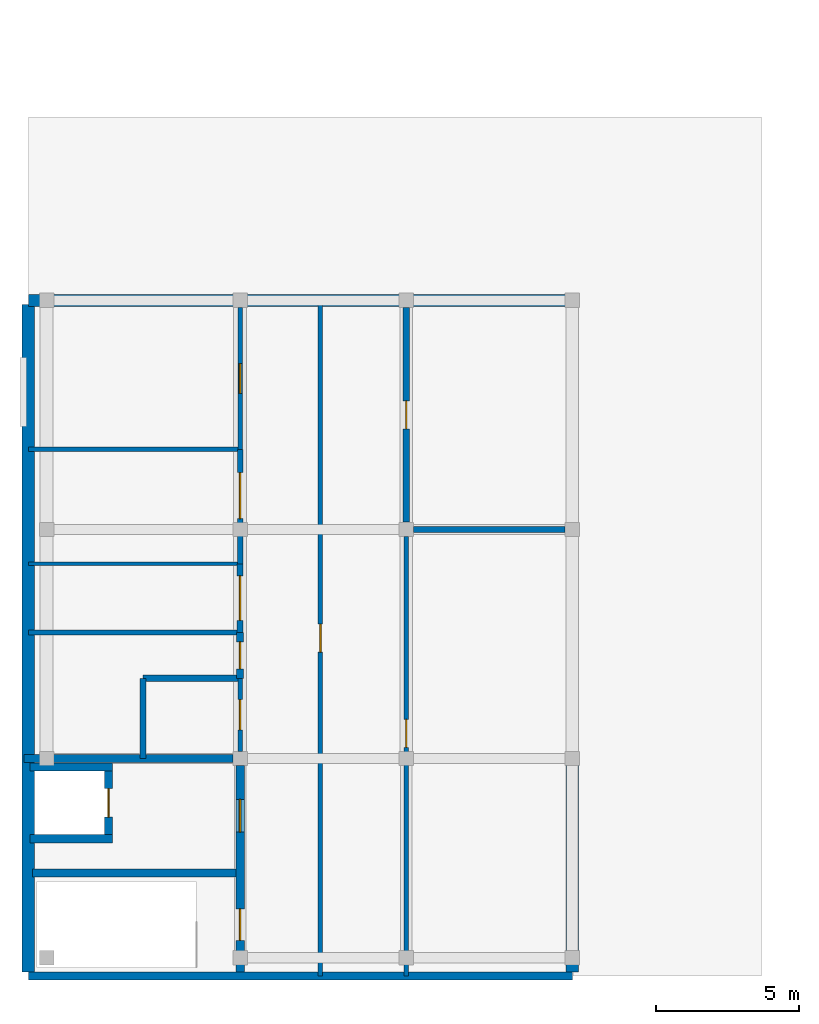
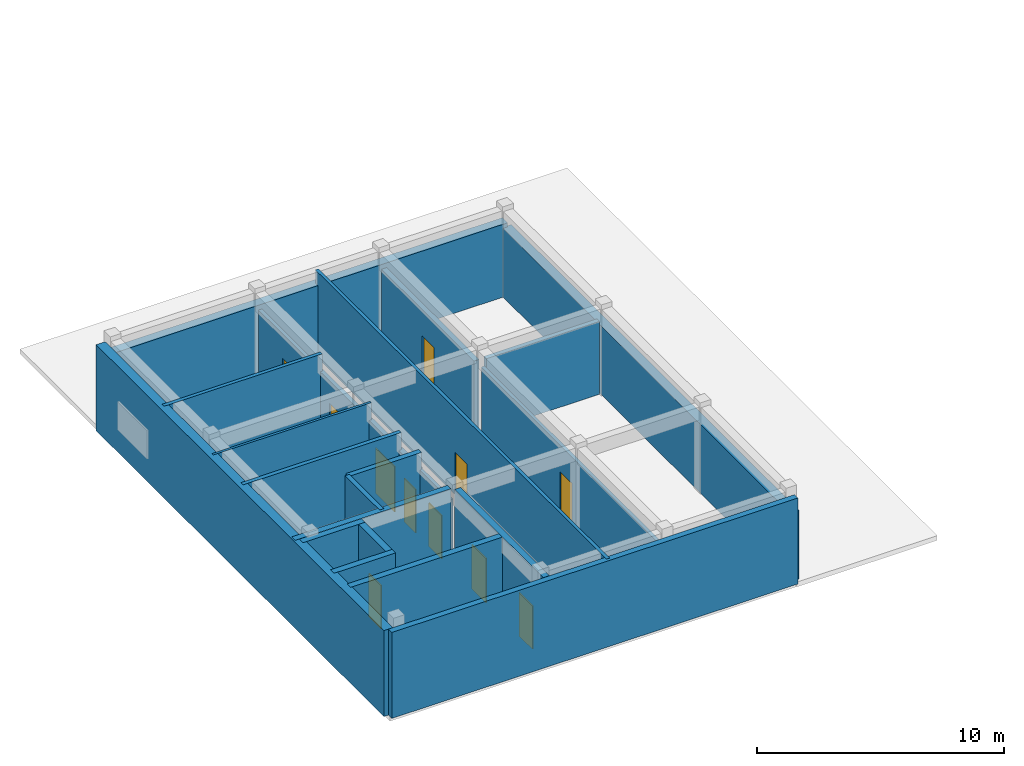
# One storey, part 5 of 11: 24 walls, 11 doors, 11 openings.
"""IFC4 building model written with IfcOpenShell, lengths in metres."""

from ifc_helpers import new_model, si_unit, direction, frame, frame_2d, origin, place, context, subcontext, project, spatial, rectangle, extrude, material, layer, layer_set, type_object, element, fill, save


model = new_model("IFC4")

# Units and contexts
model_context = context("Model", 3, precision=1e-05, world=origin(), true_north=direction((0.0, 1.0)))
body_context = subcontext(model_context, "Body", "Model", "MODEL_VIEW")
ifc_project = project(units=[si_unit("LENGTHUNIT", "METRE"), si_unit("AREAUNIT", "SQUARE_METRE"), si_unit("VOLUMEUNIT", "CUBIC_METRE"), si_unit("PLANEANGLEUNIT", "RADIAN"), si_unit("MASSUNIT", "GRAM", prefix="KILO")], contexts=[model_context])

# Site, building, storey
site_placement = place(None, origin())
site = spatial("IfcSite", under=ifc_project, at=site_placement, CompositionType="ELEMENT")
building_placement = place(site_placement, origin())
building = spatial("IfcBuilding", under=site, at=building_placement, Name="Cinchona Park Media Centre", CompositionType="ELEMENT")
storey_placement = place(building_placement, frame((0.0, 0.0, 24.89990234375)))
storey = spatial("IfcBuildingStorey", under=building, at=storey_placement, Name="L05", CompositionType="ELEMENT", Elevation=24.89990234375)

# Walls
ifc_material_1 = material(Name="Precast concrete C40/50", Category="concrete")
ifc_layer_1 = layer(ifc_material_1, 0.425048828125)
ifc_layer_set_1 = layer_set([ifc_layer_1], Name="Precast concrete C40/50")
wall_type_1 = type_object("IfcWallType", Name="WALL-W-AC01", PredefinedType="SOLIDWALL", material=ifc_layer_set_1)
wall_1_placement = place(storey_placement, frame((8.0, 87.60009765625, 0.0), z_axis=(0.0, 0.0, 1.0), x_axis=(1.0, 0.0, 0.0)))
element("IfcWall", 1, at=wall_1_placement, inside=storey, type_object=wall_type_1, Name="Exterior Wall W-AC01 V4 L05", PredefinedType="SOLIDWALL", context=body_context, shape_type="SweptSolid", body=[
    extrude(rectangle(XDim=19.0, YDim=0.425048828125, at=frame_2d((9.5, 0.0))), origin(), (0.0, 0.0, 1.0), 3.60498046875),
])
wall_2_placement = place(storey_placement, frame((27.0, 87.4599609375, 0.0), z_axis=(0.0, 0.0, 1.0), x_axis=(0.0, -1.0, 0.0)))
element("IfcWall", 2, at=wall_2_placement, inside=storey, type_object=wall_type_1, Name="Exterior Wall W-AC01 V4 L05", PredefinedType="SOLIDWALL", context=body_context, shape_type="SweptSolid", body=[
    extrude(rectangle(XDim=23.320068359375, YDim=0.425048828125, at=frame_2d((11.66015625, 0.0))), origin(), (0.0, 0.0, 1.0), 3.405029296875),
])
wall_3_placement = place(storey_placement, frame((8.0, 64.139892578125, 0.0), z_axis=(0.0, 0.0, 1.0), x_axis=(0.0, 1.0, 0.0)))
element("IfcWall", 3, at=wall_3_placement, inside=storey, type_object=wall_type_1, Name="Exterior Wall W-AC01 V4 L05", PredefinedType="SOLIDWALL", context=body_context, shape_type="SweptSolid", body=[
    extrude(rectangle(XDim=23.320068359375, YDim=0.425048828125, at=frame_2d((11.66015625, 0.0))), origin(), (0.0, 0.0, 1.0), 4.255126953125),
])

# Wall, opening, door
ifc_material_2 = material(Name="Acoustic Double-Stud Gypsum Partition", Category="gypsum")
ifc_layer_2 = layer(ifc_material_2, 0.2099609375)
ifc_layer_set_2 = layer_set([ifc_layer_2], Name="Acoustic Double-Stud Gypsum Partition")
wall_type_2 = type_object("IfcWallType", Name="WALL-W-AC210", PredefinedType="PARTITIONING", material=ifc_layer_set_2)
wall_4_placement = place(storey_placement, frame((15.39990234375, 76.0, 0.0), z_axis=(0.0, 0.0, 1.0), x_axis=(0.0, 1.0, 0.0)))
wall_4 = element("IfcWall", 4, at=wall_4_placement, inside=storey, type_object=wall_type_2, Name="Interior Wall W-AC210 L05", PredefinedType="PARTITIONING", context=body_context, shape_type="SweptSolid", body=[
    extrude(rectangle(XDim=2.39990234375, YDim=0.2099609375, at=frame_2d((1.199951171875, 0.0))), origin(), (0.0, 0.0, 1.0), 3.405029296875),
])
opening_1_placement = place(wall_4_placement, frame((0.425048828125, 0.0, 0.0)))
opening_1 = element("IfcOpeningElement", 5, at=opening_1_placement, cuts=wall_4, Name="Opening D353", PredefinedType="OPENING", context=body_context, shape_type="SweptSolid", body=[
    extrude(rectangle(XDim=1.550048828125, YDim=2.25, at=frame_2d((0.77490234375, 1.125))), frame((0.0, 0.114990234375, 0.0), z_axis=(0.0, -1.0, 0.0), x_axis=(1.0, 0.0, 0.0)), (0.0, 0.0, 1.0), 0.22998046875),
])
ifc_material_3 = material(Name="Solid-Core Timber Acoustic Door", Category="wood")
door_type_1 = type_object("IfcDoorType", Name="DOOR-DT16", OperationType="NOTDEFINED", PredefinedType="DOOR", material=ifc_material_3)
door_1_placement = place(opening_1_placement, origin())
door_1 = element("IfcDoor", 6, at=door_1_placement, inside=storey, type_object=door_type_1, Name="Interior Door D353", OperationType="SINGLE_SWING_LEFT", OverallHeight=2.25, OverallWidth=1.550048828125, PredefinedType="DOOR", context=body_context, shape_type="SweptSolid", body=[
    extrude(rectangle(XDim=1.550048828125, YDim=2.25, at=frame_2d((0.77490234375, 1.125))), frame((0.0, 0.02490234375, 0.0), z_axis=(0.0, -1.0, 0.0), x_axis=(1.0, 0.0, 0.0)), (0.0, 0.0, 1.0), 0.050048828125),
])
fill(opening_1, door_1)

# Walls
wall_5_placement = place(storey_placement, frame((12.0, 71.60009765625, 0.0), z_axis=(0.0, 0.0, 1.0), x_axis=(0.0, 1.0, 0.0)))
element("IfcWall", 7, at=wall_5_placement, inside=storey, type_object=wall_type_2, Name="Interior Wall W-AC210 L05", PredefinedType="PARTITIONING", context=body_context, shape_type="SweptSolid", body=[
    extrude(rectangle(XDim=2.7998046875, YDim=0.2099609375, at=frame_2d((1.39990234375, 0.0))), origin(), (0.0, 0.0, 1.0), 4.255126953125),
])
wall_6_placement = place(storey_placement, frame((21.451904296875, 79.60009765625, 0.0), z_axis=(0.0, 0.0, 1.0), x_axis=(1.0, 0.0, 0.0)))
element("IfcWall", 8, at=wall_6_placement, inside=storey, type_object=wall_type_2, Name="Interior Wall W-AC210 L05", PredefinedType="PARTITIONING", context=body_context, shape_type="SweptSolid", body=[
    extrude(rectangle(XDim=5.296142578125, YDim=0.2099609375, at=frame_2d((2.64794921875, 0.0))), origin(), (0.0, 0.0, 1.0), 3.60498046875),
])

# Wall, opening, door
ifc_material_4 = material(Name="Acoustic Double-Stud Gypsum Partition", Category="gypsum")
ifc_layer_3 = layer(ifc_material_4, 0.239990234375)
ifc_layer_set_3 = layer_set([ifc_layer_3], Name="Acoustic Double-Stud Gypsum Partition")
wall_type_3 = type_object("IfcWallType", Name="WALL-W-AC240", PredefinedType="PARTITIONING", material=ifc_layer_set_3)
wall_7_placement = place(storey_placement, frame((15.39990234375, 74.39990234375, 0.0), z_axis=(0.0, 0.0, 1.0), x_axis=(0.0, 1.0, 0.0)))
wall_7 = element("IfcWall", 9, at=wall_7_placement, inside=storey, type_object=wall_type_3, Name="Interior Wall W-AC240 L05", PredefinedType="PARTITIONING", context=body_context, shape_type="SweptSolid", body=[
    extrude(rectangle(XDim=1.60009765625, YDim=0.239990234375, at=frame_2d((0.800048828125, 0.0))), origin(), (0.0, 0.0, 1.0), 3.405029296875),
])
opening_2_placement = place(wall_7_placement, frame((0.330078125, 0.0, 0.0)))
opening_2 = element("IfcOpeningElement", 10, at=opening_2_placement, cuts=wall_7, Name="Opening D352", PredefinedType="OPENING", context=body_context, shape_type="SweptSolid", body=[
    extrude(rectangle(XDim=0.93994140625, YDim=2.14990234375, at=frame_2d((0.469970703125, 1.074951171875))), frame((0.0, 0.1298828125, 0.0), z_axis=(0.0, -1.0, 0.0), x_axis=(1.0, 0.0, 0.0)), (0.0, 0.0, 1.0), 0.260009765625),
])
ifc_material_5 = material(Name="Fire-Rated Acoustic Timber-Steel Door", Category="steel")
door_type_2 = type_object("IfcDoorType", Name="DOOR-DT24", OperationType="NOTDEFINED", PredefinedType="DOOR", material=ifc_material_5)
door_2_placement = place(opening_2_placement, origin())
door_2 = element("IfcDoor", 11, at=door_2_placement, inside=storey, type_object=door_type_2, Name="Interior Door D352", OperationType="SINGLE_SWING_RIGHT", OverallHeight=2.14990234375, OverallWidth=0.93994140625, PredefinedType="DOOR", context=body_context, shape_type="SweptSolid", body=[
    extrude(rectangle(XDim=0.93994140625, YDim=2.14990234375, at=frame_2d((0.469970703125, 1.074951171875))), frame((0.0, 0.02490234375, 0.0), z_axis=(0.0, -1.0, 0.0), x_axis=(1.0, 0.0, 0.0)), (0.0, 0.0, 1.0), 0.050048828125),
])
fill(opening_2, door_2)

# Wall
wall_8_placement = place(storey_placement, frame((12.0, 74.39990234375, 0.0), z_axis=(0.0, 0.0, 1.0), x_axis=(1.0, 0.0, 0.0)))
element("IfcWall", 12, at=wall_8_placement, inside=storey, type_object=wall_type_3, Name="Interior Wall W-AC240 L05", PredefinedType="PARTITIONING", context=body_context, shape_type="SweptSolid", body=[
    extrude(rectangle(XDim=3.39990234375, YDim=0.239990234375, at=frame_2d((1.699951171875, 0.0))), origin(), (0.0, 0.0, 1.0), 4.255126953125),
])

# Wall, opening, door
wall_9_placement = place(storey_placement, frame((21.199951171875, 87.347900390625, 0.0), z_axis=(0.0, 0.0, 1.0), x_axis=(0.0, -1.0, 0.0)))
wall_9 = element("IfcWall", 13, at=wall_9_placement, inside=storey, type_object=wall_type_3, Name="Interior Wall W-AC240 L05", PredefinedType="PARTITIONING", context=body_context, shape_type="SweptSolid", body=[
    extrude(rectangle(XDim=7.495849609375, YDim=0.239990234375, at=frame_2d((3.748046875, 0.0))), origin(), (0.0, 0.0, 1.0), 3.405029296875),
])
opening_3_placement = place(wall_9_placement, frame((3.258056640625, 0.0, 0.0)))
opening_3 = element("IfcOpeningElement", 14, at=opening_3_placement, cuts=wall_9, Name="Opening D363", PredefinedType="OPENING", context=body_context, shape_type="SweptSolid", body=[
    extrude(rectangle(XDim=0.97998046875, YDim=2.10009765625, at=frame_2d((0.489990234375, 1.050048828125))), frame((0.0, 0.1298828125, 0.0), z_axis=(0.0, -1.0, 0.0), x_axis=(1.0, 0.0, 0.0)), (0.0, 0.0, 1.0), 0.260009765625),
])
ifc_material_6 = material(Name="Fire-Rated Acoustic Timber-Steel Door", Category="steel")
door_type_3 = type_object("IfcDoorType", Name="DOOR-DT03", OperationType="NOTDEFINED", PredefinedType="DOOR", material=ifc_material_6)
door_3_placement = place(opening_3_placement, origin())
door_3 = element("IfcDoor", 15, at=door_3_placement, inside=storey, type_object=door_type_3, Name="Interior Door D363", OperationType="SINGLE_SWING_LEFT", OverallHeight=2.10009765625, OverallWidth=0.97998046875, PredefinedType="DOOR", context=body_context, shape_type="SweptSolid", body=[
    extrude(rectangle(XDim=0.97998046875, YDim=2.10009765625, at=frame_2d((0.489990234375, 1.050048828125))), frame((0.0, 0.02490234375, 0.0), z_axis=(0.0, -1.0, 0.0), x_axis=(1.0, 0.0, 0.0)), (0.0, 0.0, 1.0), 0.050048828125),
])
fill(opening_3, door_3)

# Walls
ifc_material_7 = material(Name="Precast concrete C40/50", Category="concrete")
ifc_layer_4 = layer(ifc_material_7, 0.27490234375)
ifc_layer_set_4 = layer_set([ifc_layer_4], Name="Precast concrete C40/50")
wall_type_4 = type_object("IfcWallType", Name="WALL-W-EX03", PredefinedType="SOLIDWALL", material=ifc_layer_set_4)
wall_10_placement = place(storey_placement, frame((27.0, 64.0, 0.0), z_axis=(0.0, 0.0, 1.0), x_axis=(-1.0, 0.0, 0.0)))
element("IfcWall", 16, at=wall_10_placement, inside=storey, type_object=wall_type_4, Name="Exterior Wall W-EX03 V4 L05", PredefinedType="SOLIDWALL", context=body_context, shape_type="SweptSolid", body=[
    extrude(rectangle(XDim=19.0, YDim=0.27490234375, at=frame_2d((9.5, 0.0))), origin(), (0.0, 0.0, 1.0), 4.255126953125),
])
ifc_material_8 = material(Name="Gypsum Metal-Stud Partition", Category="gypsum")
ifc_layer_5 = layer(ifc_material_8, 0.114990234375)
ifc_layer_set_5 = layer_set([ifc_layer_5], Name="Gypsum Metal-Stud Partition")
wall_type_5 = type_object("IfcWallType", Name="WALL-W-PT115", PredefinedType="PARTITIONING", material=ifc_layer_set_5)
wall_11_placement = place(storey_placement, frame((8.0, 78.39990234375, 0.0), z_axis=(0.0, 0.0, 1.0), x_axis=(1.0, 0.0, 0.0)))
element("IfcWall", 17, at=wall_11_placement, inside=storey, type_object=wall_type_5, Name="Interior Wall W-PT115 L05", PredefinedType="PARTITIONING", context=body_context, shape_type="SweptSolid", body=[
    extrude(rectangle(XDim=7.39990234375, YDim=0.114990234375, at=frame_2d((3.699951171875, 0.0))), origin(), (0.0, 0.0, 1.0), 4.255126953125),
])

# Wall, opening, door
ifc_material_9 = material(Name="Fire-Rated Gypsum Stud Partition", Category="gypsum")
ifc_layer_6 = layer(ifc_material_9, 0.14990234375)
ifc_layer_set_6 = layer_set([ifc_layer_6], Name="Fire-Rated Gypsum Stud Partition")
wall_type_6 = type_object("IfcWallType", Name="WALL-W-PT150", PredefinedType="PARTITIONING", material=ifc_layer_set_6)
wall_12_placement = place(storey_placement, frame((15.39990234375, 71.85205078125, 0.0), z_axis=(0.0, 0.0, 1.0), x_axis=(0.0, 1.0, 0.0)))
wall_12 = element("IfcWall", 18, at=wall_12_placement, inside=storey, type_object=wall_type_6, Name="Interior Wall W-PT150 L05", PredefinedType="PARTITIONING", context=body_context, shape_type="SweptSolid", body=[
    extrude(rectangle(XDim=2.5478515625, YDim=0.14990234375, at=frame_2d((1.27392578125, 0.0))), origin(), (0.0, 0.0, 1.0), 3.405029296875),
])
opening_4_placement = place(wall_12_placement, frame((0.7490234375, 0.0, 0.0)))
opening_4 = element("IfcOpeningElement", 19, at=opening_4_placement, cuts=wall_12, Name="Opening D351", PredefinedType="OPENING", context=body_context, shape_type="SweptSolid", body=[
    extrude(rectangle(XDim=1.050048828125, YDim=2.14990234375, at=frame_2d((0.52490234375, 1.074951171875))), frame((0.0, 0.0849609375, 0.0), z_axis=(0.0, -1.0, 0.0), x_axis=(1.0, 0.0, 0.0)), (0.0, 0.0, 1.0), 0.169921875),
])
ifc_material_10 = material(Name="Solid-Core Timber Acoustic Door", Category="wood")
door_type_4 = type_object("IfcDoorType", Name="DOOR-DT06", OperationType="NOTDEFINED", PredefinedType="DOOR", material=ifc_material_10)
door_4_placement = place(opening_4_placement, origin())
door_4 = element("IfcDoor", 20, at=door_4_placement, inside=storey, type_object=door_type_4, Name="Interior Door D351", OperationType="SINGLE_SWING_LEFT", OverallHeight=2.14990234375, OverallWidth=1.050048828125, PredefinedType="DOOR", context=body_context, shape_type="SweptSolid", body=[
    extrude(rectangle(XDim=1.050048828125, YDim=2.14990234375, at=frame_2d((0.52490234375, 1.074951171875))), frame((0.0, 0.02490234375, 0.0), z_axis=(0.0, -1.0, 0.0), x_axis=(1.0, 0.0, 0.0)), (0.0, 0.0, 1.0), 0.050048828125),
])
fill(opening_4, door_4)

wall_13_placement = place(storey_placement, frame((18.199951171875, 87.60009765625, 0.0), z_axis=(0.0, 0.0, 1.0), x_axis=(0.0, -1.0, 0.0)))
wall_13 = element("IfcWall", 21, at=wall_13_placement, inside=storey, type_object=wall_type_6, Name="Interior Wall W-PT150 L05", PredefinedType="PARTITIONING", context=body_context, shape_type="SweptSolid", body=[
    extrude(rectangle(XDim=23.60009765625, YDim=0.14990234375, at=frame_2d((11.800048828125, 0.0))), origin(), (0.0, 0.0, 1.0), 4.255126953125),
])
opening_5_placement = place(wall_13_placement, frame((11.31005859375, 0.0, 0.0)))
opening_5 = element("IfcOpeningElement", 22, at=opening_5_placement, cuts=wall_13, Name="Opening D356", PredefinedType="OPENING", context=body_context, shape_type="SweptSolid", body=[
    extrude(rectangle(XDim=0.97998046875, YDim=2.10009765625, at=frame_2d((0.489990234375, 1.050048828125))), frame((0.0, 0.0849609375, 0.0), z_axis=(0.0, -1.0, 0.0), x_axis=(1.0, 0.0, 0.0)), (0.0, 0.0, 1.0), 0.169921875),
])
door_5_placement = place(opening_5_placement, origin())
door_5 = element("IfcDoor", 23, at=door_5_placement, inside=storey, type_object=door_type_3, Name="Interior Door D356", OperationType="SINGLE_SWING_RIGHT", OverallHeight=2.10009765625, OverallWidth=0.97998046875, PredefinedType="DOOR", context=body_context, shape_type="SweptSolid", body=[
    extrude(rectangle(XDim=0.97998046875, YDim=2.10009765625, at=frame_2d((0.489990234375, 1.050048828125))), frame((0.0, 0.02490234375, 0.0), z_axis=(0.0, -1.0, 0.0), x_axis=(1.0, 0.0, 0.0)), (0.0, 0.0, 1.0), 0.050048828125),
])
fill(opening_5, door_5)

wall_14_placement = place(storey_placement, frame((21.199951171875, 79.347900390625, 0.0), z_axis=(0.0, 0.0, 1.0), x_axis=(0.0, -1.0, 0.0)))
wall_14 = element("IfcWall", 24, at=wall_14_placement, inside=storey, type_object=wall_type_6, Name="Interior Wall W-PT150 L05", PredefinedType="PARTITIONING", context=body_context, shape_type="SweptSolid", body=[
    extrude(rectangle(XDim=15.347900390625, YDim=0.14990234375, at=frame_2d((7.673828125, 0.0))), origin(), (0.0, 0.0, 1.0), 3.405029296875),
])
opening_6_placement = place(wall_14_placement, frame((6.3798828125, 0.0, 0.0)))
opening_6 = element("IfcOpeningElement", 25, at=opening_6_placement, cuts=wall_14, Name="Opening D362", PredefinedType="OPENING", context=body_context, shape_type="SweptSolid", body=[
    extrude(rectangle(XDim=0.97998046875, YDim=2.10009765625, at=frame_2d((0.489990234375, 1.050048828125))), frame((0.0, 0.0849609375, 0.0), z_axis=(0.0, -1.0, 0.0), x_axis=(1.0, 0.0, 0.0)), (0.0, 0.0, 1.0), 0.169921875),
])
door_6_placement = place(opening_6_placement, origin())
door_6 = element("IfcDoor", 26, at=door_6_placement, inside=storey, type_object=door_type_3, Name="Interior Door D362", OperationType="SINGLE_SWING_RIGHT", OverallHeight=2.10009765625, OverallWidth=0.97998046875, PredefinedType="DOOR", context=body_context, shape_type="SweptSolid", body=[
    extrude(rectangle(XDim=0.97998046875, YDim=2.10009765625, at=frame_2d((0.489990234375, 1.050048828125))), frame((0.0, 0.02490234375, 0.0), z_axis=(0.0, -1.0, 0.0), x_axis=(1.0, 0.0, 0.0)), (0.0, 0.0, 1.0), 0.050048828125),
])
fill(opening_6, door_6)

ifc_material_11 = material(Name="Fire-Rated Gypsum Stud Partition", Category="gypsum")
ifc_layer_7 = layer(ifc_material_11, 0.1650390625)
ifc_layer_set_7 = layer_set([ifc_layer_7], Name="Fire-Rated Gypsum Stud Partition")
wall_type_7 = type_object("IfcWallType", Name="WALL-W-PT165", PredefinedType="PARTITIONING", material=ifc_layer_set_7)
wall_15_placement = place(storey_placement, frame((15.39990234375, 82.39990234375, 0.0), z_axis=(0.0, 0.0, 1.0), x_axis=(0.0, 1.0, 0.0)))
wall_15 = element("IfcWall", 27, at=wall_15_placement, inside=storey, type_object=wall_type_7, Name="Interior Wall W-PT165 L05", PredefinedType="PARTITIONING", context=body_context, shape_type="SweptSolid", body=[
    extrude(rectangle(XDim=4.947998046875, YDim=0.1650390625, at=frame_2d((2.47412109375, 0.0))), origin(), (0.0, 0.0, 1.0), 3.405029296875),
])
opening_7_placement = place(wall_15_placement, frame((1.9541015625, 0.0, 0.0)))
opening_7 = element("IfcOpeningElement", 28, at=opening_7_placement, cuts=wall_15, Name="Opening D355", PredefinedType="OPENING", context=body_context, shape_type="SweptSolid", body=[
    extrude(rectangle(XDim=1.0400390625, YDim=2.199951171875, at=frame_2d((0.52001953125, 1.10009765625))), frame((0.0, 0.092529296875, 0.0), z_axis=(0.0, -1.0, 0.0), x_axis=(1.0, 0.0, 0.0)), (0.0, 0.0, 1.0), 0.18505859375),
])
ifc_material_12 = material(Name="Fire-Rated Acoustic Timber-Steel Door", Category="steel")
door_type_5 = type_object("IfcDoorType", Name="DOOR-DT25", OperationType="NOTDEFINED", PredefinedType="DOOR", material=ifc_material_12)
door_7_placement = place(opening_7_placement, origin())
door_7 = element("IfcDoor", 29, at=door_7_placement, inside=storey, type_object=door_type_5, Name="Interior Door D355", OperationType="SINGLE_SWING_LEFT", OverallHeight=2.199951171875, OverallWidth=1.0400390625, PredefinedType="DOOR", context=body_context, shape_type="SweptSolid", body=[
    extrude(rectangle(XDim=1.0400390625, YDim=2.199951171875, at=frame_2d((0.52001953125, 1.10009765625))), frame((0.0, 0.02490234375, 0.0), z_axis=(0.0, -1.0, 0.0), x_axis=(1.0, 0.0, 0.0)), (0.0, 0.0, 1.0), 0.050048828125),
])
fill(opening_7, door_7)

# Wall
wall_16_placement = place(storey_placement, frame((8.0, 82.39990234375, 0.0), z_axis=(0.0, 0.0, 1.0), x_axis=(1.0, 0.0, 0.0)))
element("IfcWall", 30, at=wall_16_placement, inside=storey, type_object=wall_type_7, Name="Interior Wall W-PT165 L05", PredefinedType="PARTITIONING", context=body_context, shape_type="SweptSolid", body=[
    extrude(rectangle(XDim=7.39990234375, YDim=0.1650390625, at=frame_2d((3.699951171875, 0.0))), origin(), (0.0, 0.0, 1.0), 4.255126953125),
])

# Wall, opening, door
ifc_material_13 = material(Name="Fire-Rated Gypsum Stud Partition", Category="gypsum")
ifc_layer_8 = layer(ifc_material_13, 0.18994140625)
ifc_layer_set_8 = layer_set([ifc_layer_8], Name="Fire-Rated Gypsum Stud Partition")
wall_type_8 = type_object("IfcWallType", Name="WALL-W-PT190", PredefinedType="PARTITIONING", material=ifc_layer_set_8)
wall_17_placement = place(storey_placement, frame((15.39990234375, 78.39990234375, 0.0), z_axis=(0.0, 0.0, 1.0), x_axis=(0.0, 1.0, 0.0)))
wall_17 = element("IfcWall", 31, at=wall_17_placement, inside=storey, type_object=wall_type_8, Name="Interior Wall W-PT190 L05", PredefinedType="PARTITIONING", context=body_context, shape_type="SweptSolid", body=[
    extrude(rectangle(XDim=4.0, YDim=0.18994140625, at=frame_2d((2.0, 0.0))), origin(), (0.0, 0.0, 1.0), 3.405029296875),
])
opening_8_placement = place(wall_17_placement, frame((1.580078125, 0.0, 0.0)))
opening_8 = element("IfcOpeningElement", 32, at=opening_8_placement, cuts=wall_17, Name="Opening D354", PredefinedType="OPENING", context=body_context, shape_type="SweptSolid", body=[
    extrude(rectangle(XDim=1.60009765625, YDim=2.300048828125, at=frame_2d((0.800048828125, 1.14990234375))), frame((0.0, 0.10498046875, 0.0), z_axis=(0.0, -1.0, 0.0), x_axis=(1.0, 0.0, 0.0)), (0.0, 0.0, 1.0), 0.2099609375),
])
ifc_material_14 = material(Name="Solid-Core Timber Acoustic Door", Category="wood")
door_type_6 = type_object("IfcDoorType", Name="DOOR-DT17", OperationType="NOTDEFINED", PredefinedType="DOOR", material=ifc_material_14)
door_8_placement = place(opening_8_placement, origin())
door_8 = element("IfcDoor", 33, at=door_8_placement, inside=storey, type_object=door_type_6, Name="Interior Door D354", OperationType="SINGLE_SWING_RIGHT", OverallHeight=2.300048828125, OverallWidth=1.60009765625, PredefinedType="DOOR", context=body_context, shape_type="SweptSolid", body=[
    extrude(rectangle(XDim=1.60009765625, YDim=2.300048828125, at=frame_2d((0.800048828125, 1.14990234375))), frame((0.0, 0.02490234375, 0.0), z_axis=(0.0, -1.0, 0.0), x_axis=(1.0, 0.0, 0.0)), (0.0, 0.0, 1.0), 0.050048828125),
])
fill(opening_8, door_8)

# Walls
wall_18_placement = place(storey_placement, frame((8.0, 76.0, 0.0), z_axis=(0.0, 0.0, 1.0), x_axis=(1.0, 0.0, 0.0)))
element("IfcWall", 34, at=wall_18_placement, inside=storey, type_object=wall_type_8, Name="Interior Wall W-PT190 L05", PredefinedType="PARTITIONING", context=body_context, shape_type="SweptSolid", body=[
    extrude(rectangle(XDim=7.39990234375, YDim=0.18994140625, at=frame_2d((3.699951171875, 0.0))), origin(), (0.0, 0.0, 1.0), 4.255126953125),
])
ifc_material_15 = material(Name="Concrete C40/50", Category="concrete")
ifc_layer_9 = layer(ifc_material_15, 0.2900390625)
ifc_layer_set_9 = layer_set([ifc_layer_9], Name="Concrete C40/50")
wall_type_9 = type_object("IfcWallType", Name="WALL-W-SH290", PredefinedType="SHEAR", material=ifc_layer_set_9)
wall_19_placement = place(storey_placement, frame((7.85498046875, 71.60009765625, 0.0), z_axis=(0.0, 0.0, 1.0), x_axis=(1.0, 0.0, 0.0)))
element("IfcWall", 35, at=wall_19_placement, inside=storey, type_object=wall_type_9, Name="Core Shear Wall W-SH290 L05", PredefinedType="SHEAR", context=body_context, shape_type="SweptSolid", body=[
    extrude(rectangle(XDim=7.29296875, YDim=0.2900390625, at=frame_2d((3.646484375, 0.0))), origin(), (0.0, 0.0, 1.0), 4.255126953125),
])

# Wall, openings, doors
wall_20_placement = place(storey_placement, frame((15.39990234375, 64.14501953125, 0.0), z_axis=(0.0, 0.0, 1.0), x_axis=(0.0, 1.0, 0.0)))
wall_20 = element("IfcWall", 36, at=wall_20_placement, inside=storey, type_object=wall_type_9, Name="Core Shear Wall W-SH290 L05", PredefinedType="SHEAR", context=body_context, shape_type="SweptSolid", body=[
    extrude(rectangle(XDim=7.202880859375, YDim=0.2900390625, at=frame_2d((3.6015625, 0.0))), origin(), (0.0, 0.0, 1.0), 4.255126953125),
])
opening_9_placement = place(wall_20_placement, frame((1.10498046875, 0.0, 0.0)))
opening_9 = element("IfcOpeningElement", 37, at=opening_9_placement, cuts=wall_20, Name="Opening D122", PredefinedType="OPENING", context=body_context, shape_type="SweptSolid", body=[
    extrude(rectangle(XDim=1.10009765625, YDim=2.14990234375, at=frame_2d((0.550048828125, 1.074951171875))), frame((0.0, 0.155029296875, 0.0), z_axis=(0.0, -1.0, 0.0), x_axis=(1.0, 0.0, 0.0)), (0.0, 0.0, 1.0), 0.31005859375),
])
opening_10_placement = place(wall_20_placement, frame((4.8798828125, 0.0, 0.0)))
opening_10 = element("IfcOpeningElement", 38, at=opening_10_placement, cuts=wall_20, Name="Opening D123", PredefinedType="OPENING", context=body_context, shape_type="SweptSolid", body=[
    extrude(rectangle(XDim=1.14990234375, YDim=2.199951171875, at=frame_2d((0.574951171875, 1.10009765625))), frame((0.0, 0.155029296875, 0.0), z_axis=(0.0, -1.0, 0.0), x_axis=(1.0, 0.0, 0.0)), (0.0, 0.0, 1.0), 0.31005859375),
])
ifc_material_16 = material(Name="Insulated Fire-Rated Steel Door", Category="steel")
door_type_7 = type_object("IfcDoorType", Name="DOOR-DT-FF", OperationType="NOTDEFINED", PredefinedType="DOOR", material=ifc_material_16)
door_9_placement = place(opening_10_placement, origin())
door_9 = element("IfcDoor", 39, at=door_9_placement, inside=storey, type_object=door_type_7, Name="Interior Door D123", OperationType="SINGLE_SWING_LEFT", OverallHeight=2.199951171875, OverallWidth=1.14990234375, PredefinedType="DOOR", context=body_context, shape_type="SweptSolid", body=[
    extrude(rectangle(XDim=1.14990234375, YDim=2.199951171875, at=frame_2d((0.574951171875, 1.10009765625))), frame((0.0, 0.02490234375, 0.0), z_axis=(0.0, -1.0, 0.0), x_axis=(1.0, 0.0, 0.0)), (0.0, 0.0, 1.0), 0.050048828125),
])
fill(opening_10, door_9)
ifc_material_17 = material(Name="Insulated Fire-Rated Steel Door", Category="steel")
door_type_8 = type_object("IfcDoorType", Name="DOOR-DT-ST", OperationType="NOTDEFINED", PredefinedType="DOOR", material=ifc_material_17)
door_10_placement = place(opening_9_placement, origin())
door_10 = element("IfcDoor", 40, at=door_10_placement, inside=storey, type_object=door_type_8, Name="Interior Door D122", OperationType="SINGLE_SWING_RIGHT", OverallHeight=2.14990234375, OverallWidth=1.10009765625, PredefinedType="DOOR", context=body_context, shape_type="SweptSolid", body=[
    extrude(rectangle(XDim=1.10009765625, YDim=2.14990234375, at=frame_2d((0.550048828125, 1.074951171875))), frame((0.0, 0.02490234375, 0.0), z_axis=(0.0, -1.0, 0.0), x_axis=(1.0, 0.0, 0.0)), (0.0, 0.0, 1.0), 0.050048828125),
])
fill(opening_9, door_10)

# Walls
wall_21_placement = place(storey_placement, frame((8.14501953125, 67.60009765625, 0.0), z_axis=(0.0, 0.0, 1.0), x_axis=(1.0, 0.0, 0.0)))
element("IfcWall", 41, at=wall_21_placement, inside=storey, type_object=wall_type_9, Name="Core Shear Wall W-SH290 L05", PredefinedType="SHEAR", context=body_context, shape_type="SweptSolid", body=[
    extrude(rectangle(XDim=7.10986328125, YDim=0.2900390625, at=frame_2d((3.554931640625, 0.0))), origin(), (0.0, 0.0, 1.0), 4.255126953125),
])
for number, where, z_axis, x_axis, name in (
    (42, (8.054931640625, 68.800048828125, 0.0), (0.0, 0.0, 1.0), (1.0, 0.0, 0.0), "Core Shear Wall W-SH290 L05"),
    (43, (8.054931640625, 71.300048828125, 0.0), (0.0, 0.0, 1.0), (1.0, 0.0, 0.0), "Core Shear Wall W-SH290 L05"),
):
    element("IfcWall", number, at=place(storey_placement, frame(where, z_axis=z_axis, x_axis=x_axis)), inside=storey, type_object=wall_type_9, Name=name, PredefinedType="SHEAR", context=body_context, shape_type="SweptSolid", body=[
        extrude(rectangle(XDim=2.89013671875, YDim=0.2900390625, at=frame_2d((1.445068359375, 0.0))), origin(), (0.0, 0.0, 1.0), 4.255126953125),
    ])

# Wall, opening, door
wall_22_placement = place(storey_placement, frame((10.800048828125, 68.945068359375, 0.0), z_axis=(0.0, 0.0, 1.0), x_axis=(0.0, 1.0, 0.0)))
wall_22 = element("IfcWall", 44, at=wall_22_placement, inside=storey, type_object=wall_type_9, Name="Core Shear Wall W-SH290 L05", PredefinedType="SHEAR", context=body_context, shape_type="SweptSolid", body=[
    extrude(rectangle(XDim=2.2099609375, YDim=0.2900390625, at=frame_2d((1.10498046875, 0.0))), origin(), (0.0, 0.0, 1.0), 4.255126953125),
])
opening_11_placement = place(wall_22_placement, frame((0.60498046875, 0.0, 0.0)))
opening_11 = element("IfcOpeningElement", 45, at=opening_11_placement, cuts=wall_22, Name="Opening LD42", PredefinedType="OPENING", context=body_context, shape_type="SweptSolid", body=[
    extrude(rectangle(XDim=1.0, YDim=2.14990234375, at=frame_2d((0.5, 1.074951171875))), frame((0.0, 0.155029296875, 0.0), z_axis=(0.0, -1.0, 0.0), x_axis=(1.0, 0.0, 0.0)), (0.0, 0.0, 1.0), 0.31005859375),
])
ifc_material_18 = material(Name="Stainless Steel Sliding Lift Landing Door", Category="steel")
door_type_9 = type_object("IfcDoorType", Name="DOOR-DT-LD2", OperationType="NOTDEFINED", PredefinedType="DOOR", material=ifc_material_18)
door_11_placement = place(opening_11_placement, origin())
door_11 = element("IfcDoor", 46, at=door_11_placement, inside=storey, type_object=door_type_9, Name="Lift Landing Door LD42", OperationType="SLIDING_TO_LEFT", OverallHeight=2.14990234375, OverallWidth=1.0, PredefinedType="DOOR", context=body_context, shape_type="SweptSolid", body=[
    extrude(rectangle(XDim=1.0, YDim=2.14990234375, at=frame_2d((0.5, 1.074951171875))), frame((0.0, 0.02490234375, 0.0), z_axis=(0.0, -1.0, 0.0), x_axis=(1.0, 0.0, 0.0)), (0.0, 0.0, 1.0), 0.050048828125),
])
fill(opening_11, door_11)

save(model, "model.ifc")
